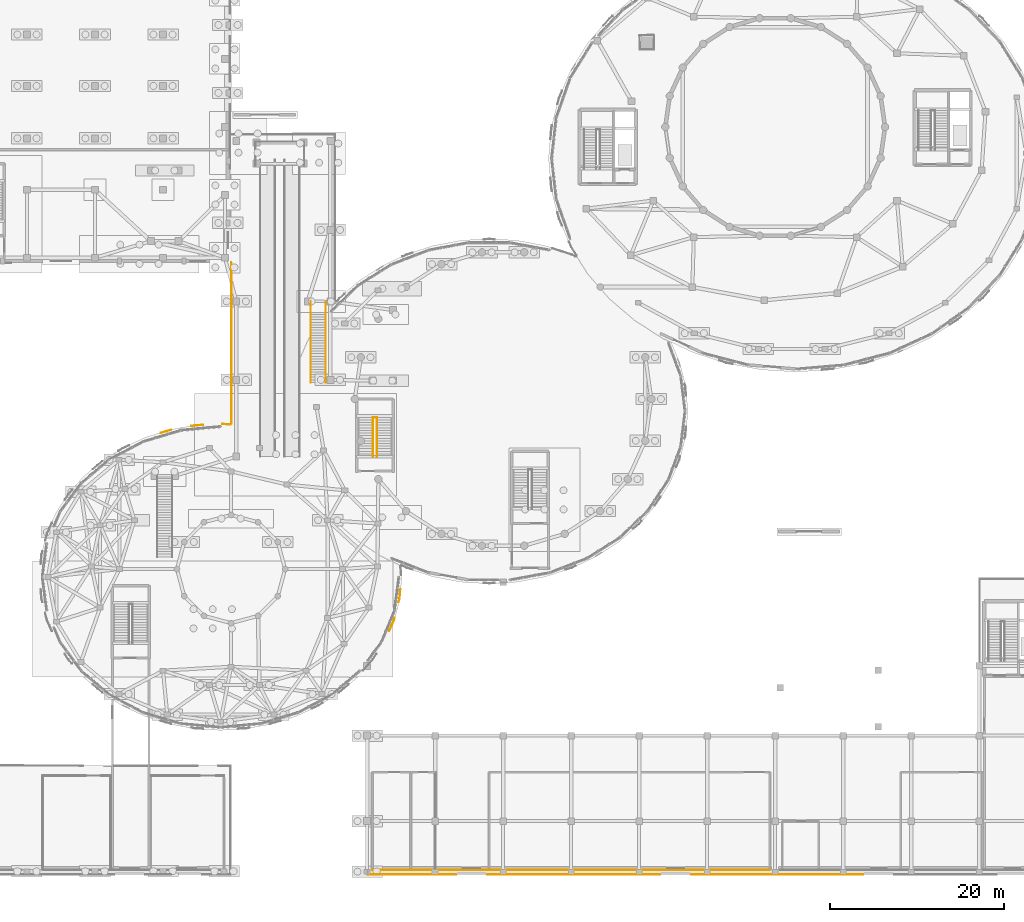
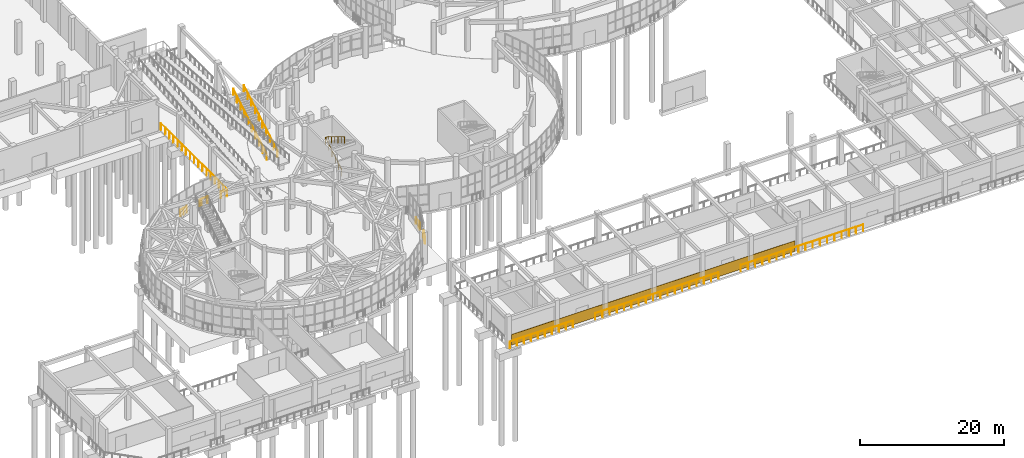
# One storey, part 84 of 96: 11 railings, 1 covering.
"""IFC4 building model written with IfcOpenShell, lengths in metres."""

from ifc_helpers import new_model, si_unit, direction, frame, origin, origin_2d, place, context, subcontext, project, spatial, rectangle, circle, extrude, material, layer, layer_set, type_object, element, save


model = new_model("IFC4")

# Units and contexts
model_context = context("Model", 3, precision=1e-05, world=origin(), true_north=direction((0.0, 1.0)))
body_context = subcontext(model_context, "Body", "Model", "MODEL_VIEW")
ifc_project = project(units=[si_unit("LENGTHUNIT", "METRE"), si_unit("AREAUNIT", "SQUARE_METRE"), si_unit("VOLUMEUNIT", "CUBIC_METRE"), si_unit("PLANEANGLEUNIT", "RADIAN"), si_unit("MASSUNIT", "GRAM", prefix="KILO")], contexts=[model_context])

# Site, building, storey
site_placement = place(None, origin())
site = spatial("IfcSite", under=ifc_project, at=site_placement, CompositionType="ELEMENT")
building_placement = place(site_placement, origin())
building = spatial("IfcBuilding", under=site, at=building_placement, Name="Pelvatis Terrace Science Centre", CompositionType="ELEMENT")
storey_placement = place(building_placement, origin())
storey = spatial("IfcBuildingStorey", under=building, at=storey_placement, Name="L00", CompositionType="ELEMENT", Elevation=0.0)

# Covering
ifc_material_1 = material(Name="Polished black Uruguayan granite ashlar cladding", Category="masonry")
ifc_layer = layer(ifc_material_1, 0.050048828125)
ifc_layer_set = layer_set([ifc_layer], Name="Polished black Uruguayan granite ashlar cladding")
covering_type = type_object("IfcCoveringType", Name="COV-CLAD-GRAN-50", PredefinedType="CLADDING", material=ifc_layer_set)
covering_placement = place(storey_placement, frame((85.800048828125, 0.592529296875, 0.0), z_axis=(0.0, 0.0, 1.0), x_axis=(1.0, 0.0, 0.0)))
element("IfcCovering", 1, at=covering_placement, inside=storey, type_object=covering_type, Name="Polished black granite base cladding EW-L00-S3", PredefinedType="CLADDING", context=body_context, shape_type="SweptSolid", body=[
    extrude(rectangle(XDim=45.60009765625, YDim=0.050048828125, at=origin_2d()), origin(), (0.0, 0.0, 1.0), 1.800048828125),
])

# Railings
ifc_material_2 = material(Name="Bronze-anodised aluminium and laminated safety glass balustrade", Category="aluminium")
railing_type_1 = type_object("IfcRailingType", Name="RLG-BAL-1150", PredefinedType="BALUSTRADE", material=ifc_material_2)
railing_1_placement = place(storey_placement, frame((119.300048828125, 0.06005859375, 0.0)))
element("IfcRailing", 2, at=railing_1_placement, inside=storey, type_object=railing_type_1, Name="Perimeter edge balustrade RLG-EDG-L00-011", PredefinedType="BALUSTRADE", context=body_context, shape_type="SweptSolid", body=[
    extrude(circle(Radius=0.02392578125, at=origin_2d()), frame((0.0, 0.0, 1.1259765625), z_axis=(-1.0, 0.0, 0.0), x_axis=(0.0, -1.0, 0.0)), (0.0, 0.0, 1.0), 19.699951171875),
    extrude(circle(Radius=0.02099609375, at=origin_2d()), origin(), (0.0, 0.0, 1.0), 1.101806640625),
    extrude(circle(Radius=0.02099609375, at=origin_2d()), frame((-1.158935546875, 0.0, 0.0)), (0.0, 0.0, 1.0), 1.101806640625),
    extrude(circle(Radius=0.02099609375, at=origin_2d()), frame((-2.317626953125, 0.0, 0.0)), (0.0, 0.0, 1.0), 1.101806640625),
    extrude(circle(Radius=0.02099609375, at=origin_2d()), frame((-3.4765625, 0.0, 0.0)), (0.0, 0.0, 1.0), 1.101806640625),
    extrude(circle(Radius=0.02099609375, at=origin_2d()), frame((-4.63525390625, 0.0, 0.0)), (0.0, 0.0, 1.0), 1.101806640625),
    extrude(circle(Radius=0.02099609375, at=origin_2d()), frame((-5.794189453125, 0.0, 0.0)), (0.0, 0.0, 1.0), 1.101806640625),
    extrude(circle(Radius=0.02099609375, at=origin_2d()), frame((-6.952880859375, 0.0, 0.0)), (0.0, 0.0, 1.0), 1.101806640625),
    extrude(circle(Radius=0.02099609375, at=origin_2d()), frame((-8.11181640625, 0.0, 0.0)), (0.0, 0.0, 1.0), 1.101806640625),
    extrude(circle(Radius=0.02099609375, at=origin_2d()), frame((-9.2705078125, 0.0, 0.0)), (0.0, 0.0, 1.0), 1.101806640625),
    extrude(circle(Radius=0.02099609375, at=origin_2d()), frame((-10.429443359375, 0.0, 0.0)), (0.0, 0.0, 1.0), 1.101806640625),
    extrude(circle(Radius=0.02099609375, at=origin_2d()), frame((-11.588134765625, 0.0, 0.0)), (0.0, 0.0, 1.0), 1.101806640625),
    extrude(circle(Radius=0.02099609375, at=origin_2d()), frame((-12.7470703125, 0.0, 0.0)), (0.0, 0.0, 1.0), 1.101806640625),
    extrude(circle(Radius=0.02099609375, at=origin_2d()), frame((-13.90576171875, 0.0, 0.0)), (0.0, 0.0, 1.0), 1.101806640625),
    extrude(circle(Radius=0.02099609375, at=origin_2d()), frame((-15.064697265625, 0.0, 0.0)), (0.0, 0.0, 1.0), 1.101806640625),
    extrude(circle(Radius=0.02099609375, at=origin_2d()), frame((-16.223388671875, 0.0, 0.0)), (0.0, 0.0, 1.0), 1.101806640625),
    extrude(circle(Radius=0.02099609375, at=origin_2d()), frame((-17.38232421875, 0.0, 0.0)), (0.0, 0.0, 1.0), 1.101806640625),
    extrude(circle(Radius=0.02099609375, at=origin_2d()), frame((-18.541015625, 0.0, 0.0)), (0.0, 0.0, 1.0), 1.101806640625),
    extrude(circle(Radius=0.02099609375, at=origin_2d()), frame((-19.699951171875, 0.0, 0.0)), (0.0, 0.0, 1.0), 1.101806640625),
])
railing_2_placement = place(storey_placement, frame((96.0, 0.06005859375, 0.0)))
element("IfcRailing", 3, at=railing_2_placement, inside=storey, type_object=railing_type_1, Name="Perimeter edge balustrade RLG-EDG-L00-012", PredefinedType="BALUSTRADE", context=body_context, shape_type="SweptSolid", body=[
    extrude(circle(Radius=0.02392578125, at=origin_2d()), frame((0.0, 0.0, 1.1259765625), z_axis=(-1.0, 0.0, 0.0), x_axis=(0.0, -1.0, 0.0)), (0.0, 0.0, 1.0), 19.800048828125),
    extrude(circle(Radius=0.02099609375, at=origin_2d()), origin(), (0.0, 0.0, 1.0), 1.101806640625),
    extrude(circle(Radius=0.02099609375, at=origin_2d()), frame((-1.164794921875, 0.0, 0.0)), (0.0, 0.0, 1.0), 1.101806640625),
    extrude(circle(Radius=0.02099609375, at=origin_2d()), frame((-2.329345703125, 0.0, 0.0)), (0.0, 0.0, 1.0), 1.101806640625),
    extrude(circle(Radius=0.02099609375, at=origin_2d()), frame((-3.494140625, 0.0, 0.0)), (0.0, 0.0, 1.0), 1.101806640625),
    extrude(circle(Radius=0.02099609375, at=origin_2d()), frame((-4.658935546875, 0.0, 0.0)), (0.0, 0.0, 1.0), 1.101806640625),
    extrude(circle(Radius=0.02099609375, at=origin_2d()), frame((-5.823486328125, 0.0, 0.0)), (0.0, 0.0, 1.0), 1.101806640625),
    extrude(circle(Radius=0.02099609375, at=origin_2d()), frame((-6.98828125, 0.0, 0.0)), (0.0, 0.0, 1.0), 1.101806640625),
    extrude(circle(Radius=0.02099609375, at=origin_2d()), frame((-8.153076171875, 0.0, 0.0)), (0.0, 0.0, 1.0), 1.101806640625),
    extrude(circle(Radius=0.02099609375, at=origin_2d()), frame((-9.317626953125, 0.0, 0.0)), (0.0, 0.0, 1.0), 1.101806640625),
    extrude(circle(Radius=0.02099609375, at=origin_2d()), frame((-10.482421875, 0.0, 0.0)), (0.0, 0.0, 1.0), 1.101806640625),
    extrude(circle(Radius=0.02099609375, at=origin_2d()), frame((-11.64697265625, 0.0, 0.0)), (0.0, 0.0, 1.0), 1.101806640625),
    extrude(circle(Radius=0.02099609375, at=origin_2d()), frame((-12.811767578125, 0.0, 0.0)), (0.0, 0.0, 1.0), 1.101806640625),
    extrude(circle(Radius=0.02099609375, at=origin_2d()), frame((-13.9765625, 0.0, 0.0)), (0.0, 0.0, 1.0), 1.101806640625),
    extrude(circle(Radius=0.02099609375, at=origin_2d()), frame((-15.14111328125, 0.0, 0.0)), (0.0, 0.0, 1.0), 1.101806640625),
    extrude(circle(Radius=0.02099609375, at=origin_2d()), frame((-16.305908203125, 0.0, 0.0)), (0.0, 0.0, 1.0), 1.101806640625),
    extrude(circle(Radius=0.02099609375, at=origin_2d()), frame((-17.470703125, 0.0, 0.0)), (0.0, 0.0, 1.0), 1.101806640625),
    extrude(circle(Radius=0.02099609375, at=origin_2d()), frame((-18.63525390625, 0.0, 0.0)), (0.0, 0.0, 1.0), 1.101806640625),
    extrude(circle(Radius=0.02099609375, at=origin_2d()), frame((-19.800048828125, 0.0, 0.0)), (0.0, 0.0, 1.0), 1.101806640625),
])
railing_3_placement = place(storey_placement, frame((72.60009765625, 0.06005859375, 0.0)))
element("IfcRailing", 4, at=railing_3_placement, inside=storey, type_object=railing_type_1, Name="Perimeter edge balustrade RLG-EDG-L00-013", PredefinedType="BALUSTRADE", context=body_context, shape_type="SweptSolid", body=[
    extrude(circle(Radius=0.02392578125, at=origin_2d()), frame((0.0, 0.0, 1.1259765625), z_axis=(-1.0, 0.0, 0.0), x_axis=(0.0, -1.0, 0.0)), (0.0, 0.0, 1.0), 10.14013671875),
    extrude(circle(Radius=0.02099609375, at=origin_2d()), origin(), (0.0, 0.0, 1.0), 1.101806640625),
    extrude(circle(Radius=0.02099609375, at=origin_2d()), frame((-1.126708984375, 0.0, 0.0)), (0.0, 0.0, 1.0), 1.101806640625),
    extrude(circle(Radius=0.02099609375, at=origin_2d()), frame((-2.25341796875, 0.0, 0.0)), (0.0, 0.0, 1.0), 1.101806640625),
    extrude(circle(Radius=0.02099609375, at=origin_2d()), frame((-3.380126953125, 0.0, 0.0)), (0.0, 0.0, 1.0), 1.101806640625),
    extrude(circle(Radius=0.02099609375, at=origin_2d()), frame((-4.5068359375, 0.0, 0.0)), (0.0, 0.0, 1.0), 1.101806640625),
    extrude(circle(Radius=0.02099609375, at=origin_2d()), frame((-5.63330078125, 0.0, 0.0)), (0.0, 0.0, 1.0), 1.101806640625),
    extrude(circle(Radius=0.02099609375, at=origin_2d()), frame((-6.760009765625, 0.0, 0.0)), (0.0, 0.0, 1.0), 1.101806640625),
    extrude(circle(Radius=0.02099609375, at=origin_2d()), frame((-7.88671875, 0.0, 0.0)), (0.0, 0.0, 1.0), 1.101806640625),
    extrude(circle(Radius=0.02099609375, at=origin_2d()), frame((-9.013427734375, 0.0, 0.0)), (0.0, 0.0, 1.0), 1.101806640625),
    extrude(circle(Radius=0.02099609375, at=origin_2d()), frame((-10.14013671875, 0.0, 0.0)), (0.0, 0.0, 1.0), 1.101806640625),
])
railing_4_placement = place(storey_placement, frame((66.217529296875, 32.754638671875, 0.0)))
element("IfcRailing", 5, at=railing_4_placement, inside=storey, type_object=railing_type_1, Name="Perimeter edge balustrade RLG-EDG-L00-060", PredefinedType="BALUSTRADE", context=body_context, shape_type="SweptSolid", body=[
    extrude(circle(Radius=0.02392578125, at=origin_2d()), frame((0.0, 0.0, 1.1259765625), z_axis=(-0.084158264632, -0.996452400516, 0.0), x_axis=(0.996452400516, -0.084158264632, 0.0)), (0.0, 0.0, 1.0), 1.052978515625),
    extrude(circle(Radius=0.02392578125, at=origin_2d()), frame((-0.088623046875, -1.04931640625, 1.1259765625), z_axis=(-0.249208382225, -0.968449886276, 0.0), x_axis=(0.968449886276, -0.249208382225, 0.0)), (0.0, 0.0, 1.0), 0.43017578125),
    extrude(circle(Radius=0.02099609375, at=origin_2d()), origin(), (0.0, 0.0, 1.0), 1.101806640625),
    extrude(circle(Radius=0.02099609375, at=origin_2d()), frame((-0.088623046875, -1.04931640625, 0.0)), (0.0, 0.0, 1.0), 1.101806640625),
    extrude(circle(Radius=0.02099609375, at=origin_2d()), frame((-0.19580078125, -1.4658203125, 0.0)), (0.0, 0.0, 1.0), 1.101806640625),
])
railing_5_placement = place(storey_placement, frame((65.553955078125, 29.468505859375, 0.0)))
element("IfcRailing", 6, at=railing_5_placement, inside=storey, type_object=railing_type_1, Name="Perimeter edge balustrade RLG-EDG-L00-061", PredefinedType="BALUSTRADE", context=body_context, shape_type="SweptSolid", body=[
    extrude(circle(Radius=0.02392578125, at=origin_2d()), frame((0.0, 0.0, 1.1259765625), z_axis=(-0.249774535996, -0.968304023108, 0.0), x_axis=(0.968304023108, -0.249774535996, 0.0)), (0.0, 0.0, 1.0), 0.214111328125),
    extrude(circle(Radius=0.02392578125, at=origin_2d()), frame((-0.053466796875, -0.207275390625, 1.1259765625), z_axis=(-0.403303667853, -0.915066200609, 0.0), x_axis=(0.915066200609, -0.403303667853, 0.0)), (0.0, 0.0, 1.0), 1.375244140625),
    extrude(circle(Radius=0.02099609375, at=origin_2d()), origin(), (0.0, 0.0, 1.0), 1.101806640625),
    extrude(circle(Radius=0.02099609375, at=origin_2d()), frame((-0.053466796875, -0.207275390625, 0.0)), (0.0, 0.0, 1.0), 1.101806640625),
    extrude(circle(Radius=0.02099609375, at=origin_2d()), frame((-0.330810546875, -0.83642578125, 0.0)), (0.0, 0.0, 1.0), 1.101806640625),
    extrude(circle(Radius=0.02099609375, at=origin_2d()), frame((-0.608154296875, -1.4658203125, 0.0)), (0.0, 0.0, 1.0), 1.101806640625),
])
railing_6_placement = place(storey_placement, frame((38.7412109375, 50.708984375, 0.0)))
element("IfcRailing", 7, at=railing_6_placement, inside=storey, type_object=railing_type_1, Name="Perimeter edge balustrade RLG-EDG-L00-079", PredefinedType="BALUSTRADE", context=body_context, shape_type="SweptSolid", body=[
    extrude(circle(Radius=0.02392578125, at=origin_2d()), frame((0.0, 0.0, 1.1259765625), z_axis=(0.959132120354, 0.282958611295, 0.0), x_axis=(-0.282958611295, 0.959132120354, 0.0)), (0.0, 0.0, 1.0), 1.2509765625),
    extrude(circle(Radius=0.02099609375, at=origin_2d()), origin(), (0.0, 0.0, 1.0), 1.101806640625),
    extrude(circle(Radius=0.02099609375, at=origin_2d()), frame((0.60009765625, 0.177001953125, 0.0)), (0.0, 0.0, 1.0), 1.101806640625),
    extrude(circle(Radius=0.02099609375, at=origin_2d()), frame((1.199951171875, 0.35400390625, 0.0)), (0.0, 0.0, 1.0), 1.101806640625),
])
railing_7_placement = place(storey_placement, frame((42.279296875, 51.493408203125, 0.0)))
element("IfcRailing", 8, at=railing_7_placement, inside=storey, type_object=railing_type_1, Name="Perimeter edge balustrade RLG-EDG-L00-080", PredefinedType="BALUSTRADE", context=body_context, shape_type="SweptSolid", body=[
    extrude(circle(Radius=0.02392578125, at=origin_2d()), frame((0.0, 0.0, 1.1259765625), z_axis=(0.983407263694, 0.18141155893, 0.0), x_axis=(-0.18141155893, 0.983407263694, 0.0)), (0.0, 0.0, 1.0), 0.3740234375),
    extrude(circle(Radius=0.02392578125, at=origin_2d()), frame((0.367919921875, 0.06787109375, 1.1259765625), z_axis=(0.998175541925, 0.060378700734, 0.0), x_axis=(-0.060378700734, 0.998175541925, 0.0)), (0.0, 0.0, 1.0), 0.9501953125),
    extrude(circle(Radius=0.02099609375, at=origin_2d()), origin(), (0.0, 0.0, 1.0), 1.101806640625),
    extrude(circle(Radius=0.02099609375, at=origin_2d()), frame((0.367919921875, 0.06787109375, 0.0)), (0.0, 0.0, 1.0), 1.101806640625),
    extrude(circle(Radius=0.02099609375, at=origin_2d()), frame((1.31640625, 0.125244140625, 0.0)), (0.0, 0.0, 1.0), 1.101806640625),
])
railing_8_placement = place(storey_placement, frame((45.826904296875, 51.726318359375, 0.0)))
element("IfcRailing", 9, at=railing_8_placement, inside=storey, type_object=railing_type_1, Name="Perimeter edge balustrade RLG-EDG-L00-081", PredefinedType="BALUSTRADE", context=body_context, shape_type="SweptSolid", body=[
    extrude(circle(Radius=0.02392578125, at=origin_2d()), frame((0.0, 0.0, 1.1259765625), z_axis=(0.998218467386, -0.059664825234, 0.0), x_axis=(0.059664825234, 0.998218467386, 0.0)), (0.0, 0.0, 1.0), 0.941162109375),
    extrude(circle(Radius=0.02392578125, at=origin_2d()), frame((0.939453125, -0.05615234375, 1.1259765625), z_axis=(0.708032918541, 0.706179429226, 0.0), x_axis=(-0.706179429226, 0.708032918541, 0.0)), (0.0, 0.0, 1.0), 0.1318359375),
    extrude(circle(Radius=0.02392578125, at=origin_2d()), frame((1.03271484375, 0.036865234375, 1.1259765625), z_axis=(2.6541744e-05, 0.999999999648, 0.0), x_axis=(-0.999999999648, 2.6541744e-05, 0.0)), (0.0, 0.0, 1.0), 18.396728515625),
    extrude(circle(Radius=0.02392578125, at=origin_2d()), frame((1.033203125, 18.43359375, 1.1259765625), z_axis=(-0.451534442976, 0.892253689713, 0.0), x_axis=(-0.892253689713, -0.451534442976, 0.0)), (0.0, 0.0, 1.0), 0.09033203125),
    extrude(circle(Radius=0.02099609375, at=origin_2d()), origin(), (0.0, 0.0, 1.0), 1.101806640625),
    extrude(circle(Radius=0.02099609375, at=origin_2d()), frame((0.939453125, -0.05615234375, 0.0)), (0.0, 0.0, 1.0), 1.101806640625),
    extrude(circle(Radius=0.02099609375, at=origin_2d()), frame((1.03271484375, 0.036865234375, 0.0)), (0.0, 0.0, 1.0), 1.101806640625),
    extrude(circle(Radius=0.02099609375, at=origin_2d()), frame((1.03271484375, 1.186767578125, 0.0)), (0.0, 0.0, 1.0), 1.101806640625),
    extrude(circle(Radius=0.02099609375, at=origin_2d()), frame((1.03271484375, 2.33642578125, 0.0)), (0.0, 0.0, 1.0), 1.101806640625),
    extrude(circle(Radius=0.02099609375, at=origin_2d()), frame((1.03271484375, 3.486328125, 0.0)), (0.0, 0.0, 1.0), 1.101806640625),
    extrude(circle(Radius=0.02099609375, at=origin_2d()), frame((1.03271484375, 4.635986328125, 0.0)), (0.0, 0.0, 1.0), 1.101806640625),
    extrude(circle(Radius=0.02099609375, at=origin_2d()), frame((1.032958984375, 5.785888671875, 0.0)), (0.0, 0.0, 1.0), 1.101806640625),
    extrude(circle(Radius=0.02099609375, at=origin_2d()), frame((1.032958984375, 6.935546875, 0.0)), (0.0, 0.0, 1.0), 1.101806640625),
    extrude(circle(Radius=0.02099609375, at=origin_2d()), frame((1.032958984375, 8.08544921875, 0.0)), (0.0, 0.0, 1.0), 1.101806640625),
    extrude(circle(Radius=0.02099609375, at=origin_2d()), frame((1.032958984375, 9.2353515625, 0.0)), (0.0, 0.0, 1.0), 1.101806640625),
    extrude(circle(Radius=0.02099609375, at=origin_2d()), frame((1.032958984375, 10.385009765625, 0.0)), (0.0, 0.0, 1.0), 1.101806640625),
    extrude(circle(Radius=0.02099609375, at=origin_2d()), frame((1.032958984375, 11.534912109375, 0.0)), (0.0, 0.0, 1.0), 1.101806640625),
    extrude(circle(Radius=0.02099609375, at=origin_2d()), frame((1.032958984375, 12.6845703125, 0.0)), (0.0, 0.0, 1.0), 1.101806640625),
    extrude(circle(Radius=0.02099609375, at=origin_2d()), frame((1.033203125, 13.83447265625, 0.0)), (0.0, 0.0, 1.0), 1.101806640625),
    extrude(circle(Radius=0.02099609375, at=origin_2d()), frame((1.033203125, 14.984130859375, 0.0)), (0.0, 0.0, 1.0), 1.101806640625),
    extrude(circle(Radius=0.02099609375, at=origin_2d()), frame((1.033203125, 16.134033203125, 0.0)), (0.0, 0.0, 1.0), 1.101806640625),
    extrude(circle(Radius=0.02099609375, at=origin_2d()), frame((1.033203125, 17.28369140625, 0.0)), (0.0, 0.0, 1.0), 1.101806640625),
    extrude(circle(Radius=0.02099609375, at=origin_2d()), frame((1.033203125, 18.43359375, 0.0)), (0.0, 0.0, 1.0), 1.101806640625),
    extrude(circle(Radius=0.02099609375, at=origin_2d()), frame((0.992431640625, 18.51416015625, 0.0)), (0.0, 0.0, 1.0), 1.101806640625),
])
ifc_material_3 = material(Name="Brushed architectural bronze tubular railing", Category="steel")
railing_type_2 = type_object("IfcRailingType", Name="RLG-GRD-1120", PredefinedType="GUARDRAIL", material=ifc_material_3)
railing_9_placement = place(storey_placement, frame((63.080078125, 48.0, 0.0)))
element("IfcRailing", 10, at=railing_9_placement, inside=storey, type_object=railing_type_2, Name="Stair ST-05-L00 inner well guard", PredefinedType="GUARDRAIL", context=body_context, shape_type="SweptSolid", body=[
    extrude(circle(Radius=0.02392578125, at=origin_2d()), frame((0.0, 0.0, 1.09619140625), z_axis=(0.0, 0.857497030584, 0.514488913912), x_axis=(-1.0, 0.0, 0.0)), (0.0, 0.0, 1.0), 5.247802734375),
    extrude(circle(Radius=0.02392578125, at=origin_2d()), frame((0.0, 4.5, 3.7958984375), z_axis=(1.0, 0.0, 0.0), x_axis=(0.0, 1.0, 0.0)), (0.0, 0.0, 1.0), 0.43994140625),
    extrude(circle(Radius=0.02392578125, at=origin_2d()), frame((0.43994140625, 4.5, 3.7958984375), z_axis=(0.0, -0.857497030584, 0.514488913912), x_axis=(1.0, 0.0, 0.0)), (0.0, 0.0, 1.0), 5.247802734375),
    extrude(circle(Radius=0.02099609375, at=origin_2d()), origin(), (0.0, 0.0, 1.0), 1.072021484375),
    extrude(circle(Radius=0.02099609375, at=origin_2d()), frame((0.0, 0.89990234375, 0.5400390625)), (0.0, 0.0, 1.0), 1.072021484375),
    extrude(circle(Radius=0.02099609375, at=origin_2d()), frame((0.0, 1.800048828125, 1.080078125)), (0.0, 0.0, 1.0), 1.072021484375),
    extrude(circle(Radius=0.02099609375, at=origin_2d()), frame((0.0, 2.699951171875, 1.619873046875)), (0.0, 0.0, 1.0), 1.072021484375),
    extrude(circle(Radius=0.02099609375, at=origin_2d()), frame((0.0, 3.60009765625, 2.159912109375)), (0.0, 0.0, 1.0), 1.072021484375),
    extrude(circle(Radius=0.02099609375, at=origin_2d()), frame((0.0, 4.5, 2.699951171875)), (0.0, 0.0, 1.0), 1.072021484375),
    extrude(circle(Radius=0.02099609375, at=origin_2d()), frame((0.43994140625, 4.5, 2.699951171875)), (0.0, 0.0, 1.0), 1.072021484375),
    extrude(circle(Radius=0.02099609375, at=origin_2d()), frame((0.43994140625, 3.60009765625, 3.239990234375)), (0.0, 0.0, 1.0), 1.072021484375),
    extrude(circle(Radius=0.02099609375, at=origin_2d()), frame((0.43994140625, 2.699951171875, 3.780029296875)), (0.0, 0.0, 1.0), 1.072021484375),
    extrude(circle(Radius=0.02099609375, at=origin_2d()), frame((0.43994140625, 1.800048828125, 4.31982421875)), (0.0, 0.0, 1.0), 1.072021484375),
    extrude(circle(Radius=0.02099609375, at=origin_2d()), frame((0.43994140625, 0.89990234375, 4.85986328125)), (0.0, 0.0, 1.0), 1.072021484375),
    extrude(circle(Radius=0.02099609375, at=origin_2d()), frame((0.43994140625, 0.0, 5.39990234375)), (0.0, 0.0, 1.0), 1.072021484375),
])
for number, where, name in (
    (11, (55.93994140625, 56.5, 0.0), "Stair FST-02 flight guard L"),
    (12, (57.659912109375, 56.5, 0.0), "Stair FST-02 flight guard R"),
):
    element("IfcRailing", number, at=place(storey_placement, frame(where)), inside=storey, type_object=railing_type_2, Name=name, PredefinedType="GUARDRAIL", context=body_context, shape_type="SweptSolid", body=[
        extrude(circle(Radius=0.02392578125, at=origin_2d()), frame((0.0, 0.0, 1.09619140625), z_axis=(0.0, 0.86479403468, 0.502126754497), x_axis=(-1.0, 0.0, 0.0)), (0.0, 0.0, 1.0), 10.754150390625),
        extrude(circle(Radius=0.02099609375, at=origin_2d()), origin(), (0.0, 0.0, 1.0), 1.072021484375),
        extrude(circle(Radius=0.02099609375, at=origin_2d()), frame((0.0, 1.033447265625, 0.60009765625)), (0.0, 0.0, 1.0), 1.072021484375),
        extrude(circle(Radius=0.02099609375, at=origin_2d()), frame((0.0, 2.066650390625, 1.199951171875)), (0.0, 0.0, 1.0), 1.072021484375),
        extrude(circle(Radius=0.02099609375, at=origin_2d()), frame((0.0, 3.10009765625, 1.800048828125)), (0.0, 0.0, 1.0), 1.072021484375),
        extrude(circle(Radius=0.02099609375, at=origin_2d()), frame((0.0, 4.13330078125, 2.39990234375)), (0.0, 0.0, 1.0), 1.072021484375),
        extrude(circle(Radius=0.02099609375, at=origin_2d()), frame((0.0, 5.166748046875, 3.0)), (0.0, 0.0, 1.0), 1.072021484375),
        extrude(circle(Radius=0.02099609375, at=origin_2d()), frame((0.0, 6.199951171875, 3.599853515625)), (0.0, 0.0, 1.0), 1.072021484375),
        extrude(circle(Radius=0.02099609375, at=origin_2d()), frame((0.0, 7.2333984375, 4.199951171875)), (0.0, 0.0, 1.0), 1.072021484375),
        extrude(circle(Radius=0.02099609375, at=origin_2d()), frame((0.0, 8.2666015625, 4.7998046875)), (0.0, 0.0, 1.0), 1.072021484375),
        extrude(circle(Radius=0.02099609375, at=origin_2d()), frame((0.0, 9.300048828125, 5.39990234375)), (0.0, 0.0, 1.0), 1.072021484375),
    ])

save(model, "model.ifc")
